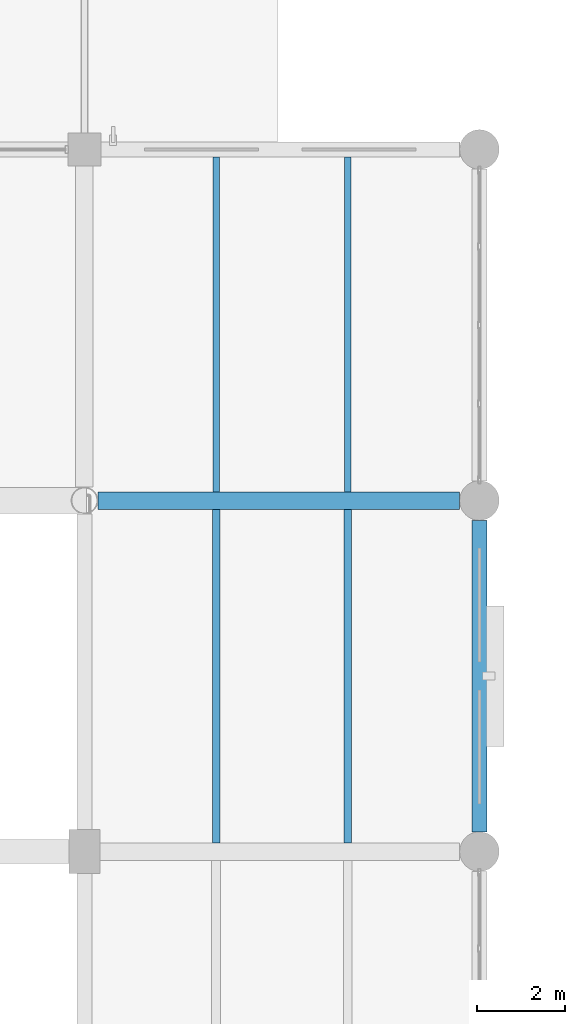
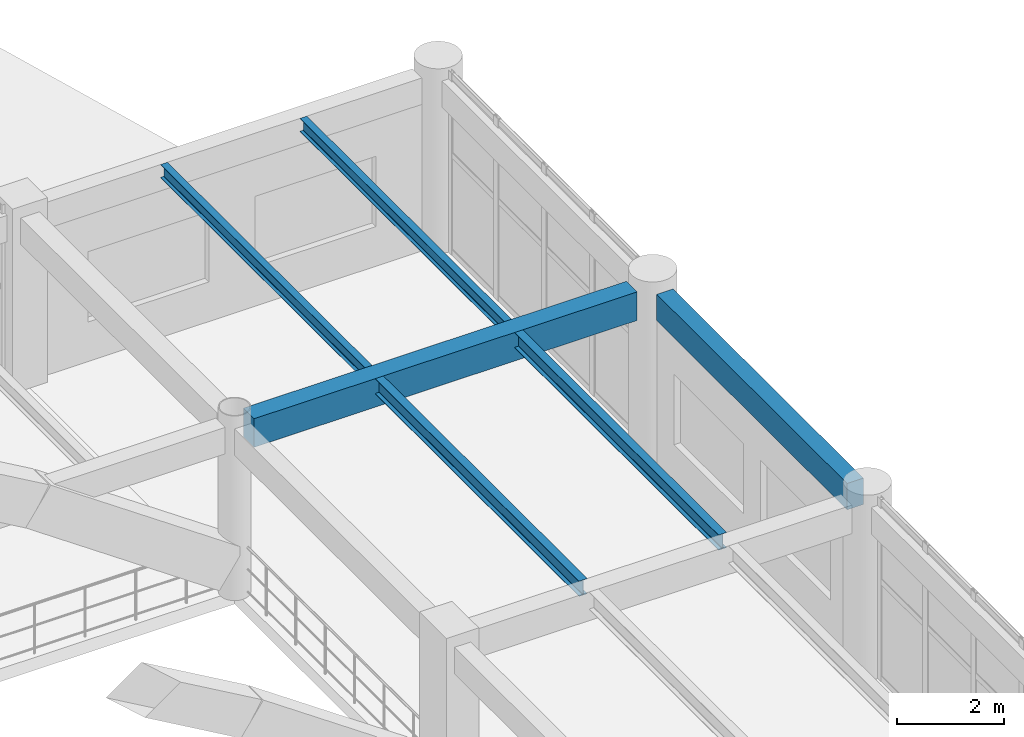
# One storey, part 78 of 148: 6 beams.
"""IFC4 building model written with IfcOpenShell, lengths in metres."""

from ifc_helpers import new_model, si_unit, derived_unit, direction, frame, origin, origin_2d, place, context, subcontext, project, spatial, rectangle, i_section, extrude, material, material_profile, profile_set, type_object, element, save


model = new_model("IFC4")

# Units and contexts
model_context = context("Model", 3, precision=1e-05, world=origin(), true_north=direction((0.0, 1.0)))
body_context = subcontext(model_context, "Body", "Model", "MODEL_VIEW")
ifc_project = project(units=[si_unit("LENGTHUNIT", "METRE"), si_unit("AREAUNIT", "SQUARE_METRE"), si_unit("VOLUMEUNIT", "CUBIC_METRE"), si_unit("PLANEANGLEUNIT", "RADIAN"), si_unit("MASSUNIT", "GRAM", prefix="KILO"), derived_unit("THERMALTRANSMITTANCEUNIT", [(si_unit("MASSUNIT", "GRAM", prefix="KILO"), 1), (si_unit("TIMEUNIT", "SECOND"), -3), (si_unit("THERMODYNAMICTEMPERATUREUNIT", "KELVIN"), -1)])], contexts=[model_context])

# Site, building, storey
site_placement = place(None, origin())
site = spatial("IfcSite", under=ifc_project, at=site_placement, CompositionType="ELEMENT")
building_placement = place(site_placement, origin())
building = spatial("IfcBuilding", under=site, at=building_placement, Name="Zhenchuan Archway Interchange", CompositionType="ELEMENT")
storey_placement = place(building_placement, frame((0.0, 0.0, 10.199951171875)))
storey = spatial("IfcBuildingStorey", under=building, at=storey_placement, Name="L02", CompositionType="ELEMENT", Elevation=10.199951171875)

# Beams
ifc_material_1 = material(Name="Concrete C40", Category="concrete")
ifc_material_profile_1 = material_profile(ifc_material_1, rectangle(XDim=0.39990234375, YDim=0.64990234375, at=origin_2d()), Name="RC 400x650")
ifc_profile_set_1 = profile_set([ifc_material_profile_1], Name="Concrete C40")
beam_type_1 = type_object("IfcBeamType", Name="BM_RC_400x650", PredefinedType="BEAM", material=ifc_profile_set_1)
beam_1_placement = place(storey_placement, frame((63.304931640625, 80.0, 3.614990234375), z_axis=(1.0, 0.0, 0.0), x_axis=(0.0, 1.0, 0.0)))
element("IfcBeam", 1, at=beam_1_placement, inside=storey, type_object=beam_type_1, Name="Beam L:8-9 (L02)", PredefinedType="BEAM", context=body_context, shape_type="SweptSolid", body=[
    extrude(rectangle(XDim=0.39990234375, YDim=0.64990234375, at=origin_2d()), origin(), (0.0, 0.0, 1.0), 8.2451171875),
])
ifc_material_2 = material(Name="Steel Q355", Category="steel")
ifc_material_profile_2 = material_profile(ifc_material_2, i_section(OverallWidth=0.14990234375, OverallDepth=0.300048828125, WebThickness=0.006591796875, FlangeThickness=0.009033203125, FilletRadius=0.012939453125, at=origin_2d()), Name="HN 300x150")
ifc_profile_set_2 = profile_set([ifc_material_profile_2], Name="Steel Q355")
beam_type_2 = type_object("IfcBeamType", Name="JST_STL_HN300", PredefinedType="JOIST", material=ifc_profile_set_2)
for number, where, z_axis, x_axis, name in (
    (2, (66.0, 80.199951171875, 3.7900390625), (0.0, 1.0, 0.0), (-1.0, 0.0, 0.0), "Secondary joist 8-9/L-M #1 (L02)"),
    (3, (69.0, 80.199951171875, 3.7900390625), (0.0, 1.0, 0.0), (-1.0, 0.0, 0.0), "Secondary joist 8-9/L-M #2 (L02)"),
):
    element("IfcBeam", number, at=place(storey_placement, frame(where, z_axis=z_axis, x_axis=x_axis)), inside=storey, type_object=beam_type_2, Name=name, PredefinedType="JOIST", context=body_context, shape_type="SweptSolid", body=[
        extrude(i_section(OverallWidth=0.14990234375, OverallDepth=0.300048828125, WebThickness=0.006591796875, FlangeThickness=0.009033203125, FilletRadius=0.012939453125, at=origin_2d()), origin(), (0.0, 0.0, 1.0), 7.625),
    ])
ifc_material_profile_3 = material_profile(ifc_material_2, i_section(OverallWidth=0.175048828125, OverallDepth=0.35009765625, WebThickness=0.007080078125, FlangeThickness=0.010986328125, FilletRadius=0.013916015625, at=origin_2d()), Name="HN 350x175")
ifc_profile_set_3 = profile_set([ifc_material_profile_3], Name="Steel Q355")
beam_type_3 = type_object("IfcBeamType", Name="JST_STL_HN350", PredefinedType="JOIST", material=ifc_profile_set_3)
for number, where, z_axis, x_axis, name in (
    (4, (66.0, 72.199951171875, 3.76513671875), (0.0, 1.0, 0.0), (-1.0, 0.0, 0.0), "Secondary joist 8-9/K-L #1 (L02)"),
    (5, (69.0, 72.199951171875, 3.76513671875), (0.0, 1.0, 0.0), (-1.0, 0.0, 0.0), "Secondary joist 8-9/K-L #2 (L02)"),
):
    element("IfcBeam", number, at=place(storey_placement, frame(where, z_axis=z_axis, x_axis=x_axis)), inside=storey, type_object=beam_type_3, Name=name, PredefinedType="JOIST", context=body_context, shape_type="SweptSolid", body=[
        extrude(i_section(OverallWidth=0.175048828125, OverallDepth=0.35009765625, WebThickness=0.007080078125, FlangeThickness=0.010986328125, FilletRadius=0.013916015625, at=origin_2d()), origin(), (0.0, 0.0, 1.0), 7.60009765625),
    ])
ifc_material_profile_4 = material_profile(ifc_material_1, rectangle(XDim=0.35009765625, YDim=0.60009765625, at=origin_2d()), Name="RC 350x600")
ifc_profile_set_4 = profile_set([ifc_material_profile_4], Name="Concrete C40")
beam_type_4 = type_object("IfcBeamType", Name="SP_RC_350x600", PredefinedType="SPANDREL", material=ifc_profile_set_4)
beam_2_placement = place(storey_placement, frame((72.0, 72.449951171875, 3.64013671875), z_axis=(0.0, 1.0, 0.0), x_axis=(-1.0, 0.0, 0.0)))
element("IfcBeam", 6, at=beam_2_placement, inside=storey, type_object=beam_type_4, Name="Beam 9:K-L (L02)", PredefinedType="SPANDREL", context=body_context, shape_type="SweptSolid", body=[
    extrude(rectangle(XDim=0.35009765625, YDim=0.60009765625, at=origin_2d()), origin(), (0.0, 0.0, 1.0), 7.10009765625),
])

save(model, "model.ifc")
